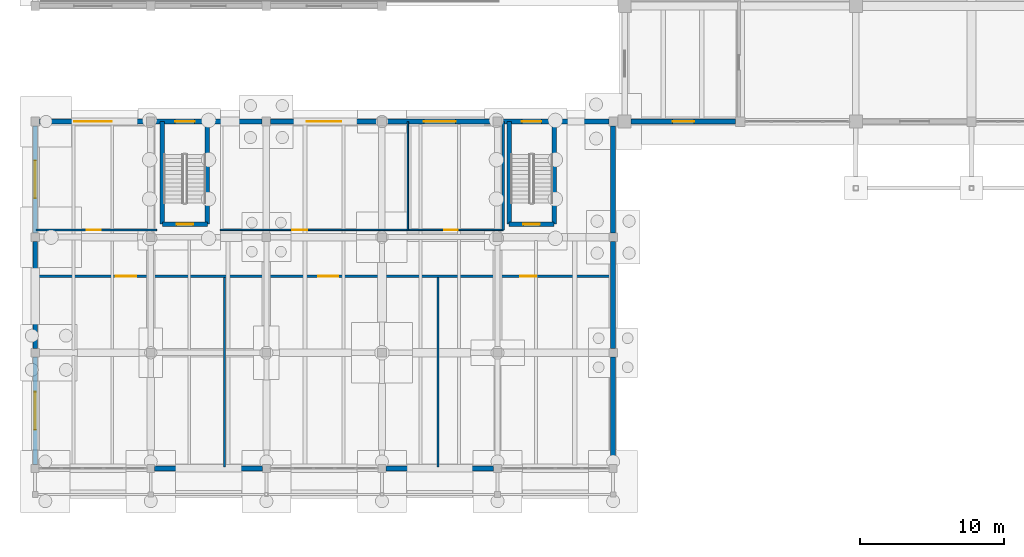
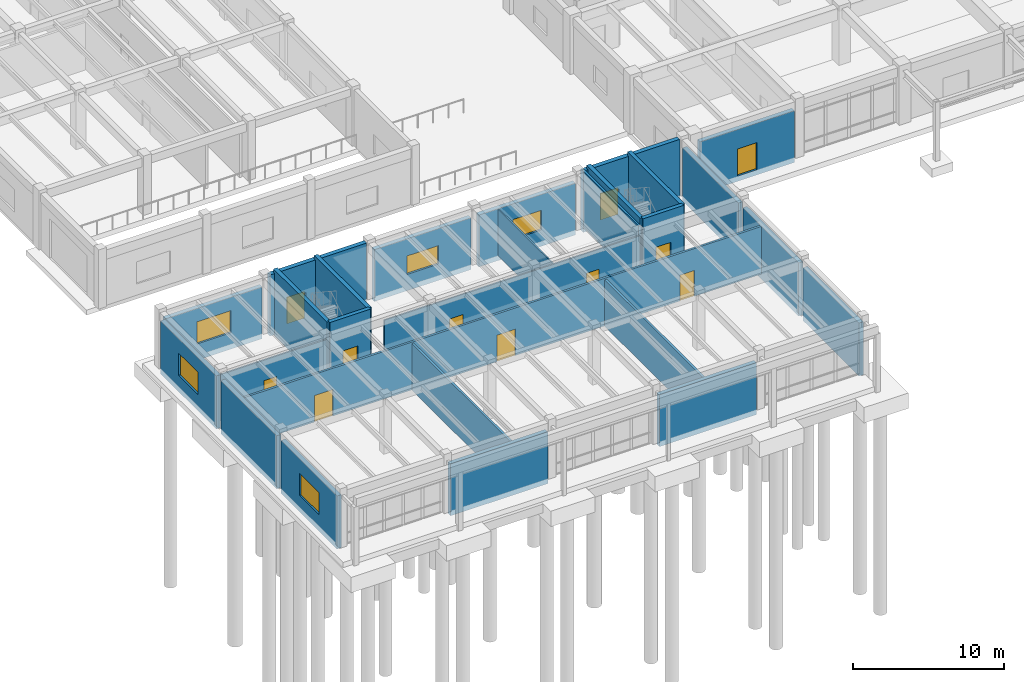
# One storey, part 33 of 64: 27 walls, 11 doors, 5 windows, 16 openings.
"""IFC4 building model written with IfcOpenShell, lengths in metres."""

from ifc_helpers import new_model, si_unit, direction, frame, frame_2d, origin, place, context, subcontext, project, spatial, rectangle, extrude, material, layer, layer_set, type_object, element, fill, save


model = new_model("IFC4")

# Units and contexts
model_context = context("Model", 3, precision=1e-05, world=origin(), true_north=direction((0.0, 1.0)))
body_context = subcontext(model_context, "Body", "Model", "MODEL_VIEW")
ifc_project = project(units=[si_unit("LENGTHUNIT", "METRE"), si_unit("AREAUNIT", "SQUARE_METRE"), si_unit("VOLUMEUNIT", "CUBIC_METRE"), si_unit("PLANEANGLEUNIT", "RADIAN"), si_unit("MASSUNIT", "GRAM", prefix="KILO")], contexts=[model_context])

# Site, building, storey
site_placement = place(None, origin())
site = spatial("IfcSite", under=ifc_project, at=site_placement, CompositionType="ELEMENT")
building_placement = place(site_placement, origin())
building = spatial("IfcBuilding", under=site, at=building_placement, Name="Tlaxcora Railside Police Headquarters", CompositionType="ELEMENT")
storey_placement = place(building_placement, origin())
storey = spatial("IfcBuildingStorey", under=building, at=storey_placement, Name="L00", CompositionType="ELEMENT", Elevation=0.0)

# Wall, openings, doors
ifc_material_1 = material(Name="Gypsum acoustic partition board")
ifc_layer_1 = layer(ifc_material_1, 0.10791015625, Name="Gypsum acoustic partition board")
ifc_layer_set_1 = layer_set([ifc_layer_1], Name="Gypsum acoustic partition board")
wall_type_1 = type_object("IfcWallType", Name="Interior Partition Wall IW-19", PredefinedType="PARTITIONING", material=ifc_layer_set_1)
wall_1_placement = place(storey_placement, frame((18.0, 28.5, 0.0), z_axis=(0.0, 0.0, 1.0), x_axis=(1.0, 0.0, 0.0)))
wall_1 = element("IfcWall", 1, at=wall_1_placement, inside=storey, type_object=wall_type_1, Name="V4 L00 interior partition 35", PredefinedType="PARTITIONING", context=body_context, shape_type="SweptSolid", body=[
    extrude(rectangle(XDim=19.60009765625, YDim=0.10791015625, at=frame_2d((9.800048828125, 0.0))), origin(), (0.0, 0.0, 1.0), 3.764892578125),
])
opening_1_placement = place(wall_1_placement, frame((5.0, 0.0, 0.0)))
opening_1 = element("IfcOpeningElement", 2, at=opening_1_placement, cuts=wall_1, Name="Opening D-L00-087", PredefinedType="OPENING", context=body_context, shape_type="SweptSolid", body=[
    extrude(rectangle(XDim=1.02001953125, YDim=2.1201171875, at=frame_2d((0.510009765625, 1.06005859375))), frame((0.0, 0.06396484375, 0.0), z_axis=(0.0, -1.0, 0.0), x_axis=(1.0, 0.0, 0.0)), (0.0, 0.0, 1.0), 0.1279296875),
])
opening_2_placement = place(wall_1_placement, frame((15.5, 0.0, 0.0)))
opening_2 = element("IfcOpeningElement", 3, at=opening_2_placement, cuts=wall_1, Name="Opening D-L00-088", PredefinedType="OPENING", context=body_context, shape_type="SweptSolid", body=[
    extrude(rectangle(XDim=0.949951171875, YDim=2.14990234375, at=frame_2d((0.47509765625, 1.074951171875))), frame((0.0, 0.06396484375, 0.0), z_axis=(0.0, -1.0, 0.0), x_axis=(1.0, 0.0, 0.0)), (0.0, 0.0, 1.0), 0.1279296875),
])
ifc_material_2 = material(Name="Steel ASTM A992 Grade 50", Category="steel")
door_type_1 = type_object("IfcDoorType", Name="Swing or Sliding Personnel Door ID-31", OperationType="NOTDEFINED", PredefinedType="DOOR", material=ifc_material_2)
door_1_placement = place(opening_2_placement, origin())
door_1 = element("IfcDoor", 4, at=door_1_placement, inside=storey, type_object=door_type_1, Name="V4 L00 door D-L00-088", OperationType="SINGLE_SWING_RIGHT", OverallHeight=2.14990234375, OverallWidth=0.949951171875, PredefinedType="DOOR", context=body_context, shape_type="SweptSolid", body=[
    extrude(rectangle(XDim=0.949951171875, YDim=2.14990234375, at=frame_2d((0.47509765625, 1.074951171875))), frame((0.0, 0.02490234375, 0.0), z_axis=(0.0, -1.0, 0.0), x_axis=(1.0, 0.0, 0.0)), (0.0, 0.0, 1.0), 0.050048828125),
])
fill(opening_2, door_1)
door_type_2 = type_object("IfcDoorType", Name="Swing or Sliding Personnel Door ID-48", OperationType="NOTDEFINED", PredefinedType="DOOR", material=ifc_material_2)
door_2_placement = place(opening_1_placement, origin())
door_2 = element("IfcDoor", 5, at=door_2_placement, inside=storey, type_object=door_type_2, Name="V4 L00 door D-L00-087", OperationType="SINGLE_SWING_LEFT", OverallHeight=2.1201171875, OverallWidth=1.02001953125, PredefinedType="DOOR", context=body_context, shape_type="SweptSolid", body=[
    extrude(rectangle(XDim=1.02001953125, YDim=2.1201171875, at=frame_2d((0.510009765625, 1.06005859375))), frame((0.0, 0.02490234375, 0.0), z_axis=(0.0, -1.0, 0.0), x_axis=(1.0, 0.0, 0.0)), (0.0, 0.0, 1.0), 0.050048828125),
])
fill(opening_1, door_2)

# Walls
ifc_layer_2 = layer(ifc_material_1, 0.16796875, Name="Gypsum acoustic partition board")
ifc_layer_set_2 = layer_set([ifc_layer_2], Name="Gypsum acoustic partition board")
wall_type_2 = type_object("IfcWallType", Name="Interior Partition Wall IW-31", PredefinedType="PARTITIONING", material=ifc_layer_set_2)
wall_2_placement = place(storey_placement, frame((37.60009765625, 28.5, 0.0), z_axis=(0.0, 0.0, 1.0), x_axis=(0.0, 1.0, 0.0)))
element("IfcWall", 6, at=wall_2_placement, inside=storey, type_object=wall_type_2, Name="V4 L00 interior partition 37", PredefinedType="PARTITIONING", context=body_context, shape_type="SweptSolid", body=[
    extrude(rectangle(XDim=7.5, YDim=0.16796875, at=frame_2d((3.75, 0.0))), origin(), (0.0, 0.0, 1.0), 4.530029296875),
])
ifc_layer_3 = layer(ifc_material_1, 0.10009765625, Name="Gypsum acoustic partition board")
ifc_layer_set_3 = layer_set([ifc_layer_3], Name="Gypsum acoustic partition board")
wall_type_3 = type_object("IfcWallType", Name="Interior Partition Wall IW-45", PredefinedType="PARTITIONING", material=ifc_layer_set_3)
wall_3_placement = place(storey_placement, frame((31.0, 28.5, 0.0), z_axis=(0.0, 0.0, 1.0), x_axis=(0.0, 1.0, 0.0)))
element("IfcWall", 7, at=wall_3_placement, inside=storey, type_object=wall_type_3, Name="V4 L00 interior partition 36", PredefinedType="PARTITIONING", context=body_context, shape_type="SweptSolid", body=[
    extrude(rectangle(XDim=7.5, YDim=0.10009765625, at=frame_2d((3.75, 0.0))), origin(), (0.0, 0.0, 1.0), 3.764892578125),
])
ifc_layer_4 = layer(ifc_material_1, 0.159912109375, Name="Gypsum acoustic partition board")
ifc_layer_set_4 = layer_set([ifc_layer_4], Name="Gypsum acoustic partition board")
wall_type_4 = type_object("IfcWallType", Name="Interior Partition Wall IW-73", PredefinedType="PARTITIONING", material=ifc_layer_set_4)
for number, where, z_axis, x_axis, name in (
    (8, (18.304931640625, 12.080078125, 0.0), (0.0, 0.0, 1.0), (0.0, 1.0, 0.0), "V4 L00 interior partition 31"),
    (9, (33.080078125, 12.080078125, 0.0), (0.0, 0.0, 1.0), (0.0, 1.0, 0.0), "V4 L00 interior partition 32"),
):
    element("IfcWall", number, at=place(storey_placement, frame(where, z_axis=z_axis, x_axis=x_axis)), inside=storey, type_object=wall_type_4, Name=name, PredefinedType="PARTITIONING", context=body_context, shape_type="SweptSolid", body=[
        extrude(rectangle(XDim=13.119873046875, YDim=0.159912109375, at=frame_2d((6.56005859375, 0.0))), origin(), (0.0, 0.0, 1.0), 3.764892578125),
    ])

# Wall, openings, doors
wall_4_placement = place(storey_placement, frame((5.280029296875, 25.300048828125, 0.0), z_axis=(0.0, 0.0, 1.0), x_axis=(1.0, 0.0, 0.0)))
wall_4 = element("IfcWall", 10, at=wall_4_placement, inside=storey, type_object=wall_type_4, Name="V4 L00 interior partition 33", PredefinedType="PARTITIONING", context=body_context, shape_type="SweptSolid", body=[
    extrude(rectangle(XDim=39.840087890625, YDim=0.159912109375, at=frame_2d((19.919921875, 0.0))), origin(), (0.0, 0.0, 1.0), 3.864990234375),
])
opening_3_placement = place(wall_4_placement, frame((5.5, 0.0, 0.0)))
opening_3 = element("IfcOpeningElement", 11, at=opening_3_placement, cuts=wall_4, Name="Opening D-L00-083", PredefinedType="OPENING", context=body_context, shape_type="SweptSolid", body=[
    extrude(rectangle(XDim=1.39990234375, YDim=2.14990234375, at=frame_2d((0.699951171875, 1.074951171875))), frame((0.0, 0.08984375, 0.0), z_axis=(0.0, -1.0, 0.0), x_axis=(1.0, 0.0, 0.0)), (0.0, 0.0, 1.0), 0.179931640625),
])
opening_4_placement = place(wall_4_placement, frame((19.5, 0.0, 0.0)))
opening_4 = element("IfcOpeningElement", 12, at=opening_4_placement, cuts=wall_4, Name="Opening D-L00-084", PredefinedType="OPENING", context=body_context, shape_type="SweptSolid", body=[
    extrude(rectangle(XDim=1.39990234375, YDim=2.14990234375, at=frame_2d((0.699951171875, 1.074951171875))), frame((0.0, 0.08984375, 0.0), z_axis=(0.0, -1.0, 0.0), x_axis=(1.0, 0.0, 0.0)), (0.0, 0.0, 1.0), 0.179931640625),
])
opening_5_placement = place(wall_4_placement, frame((33.5, 0.0, 0.0)))
opening_5 = element("IfcOpeningElement", 13, at=opening_5_placement, cuts=wall_4, Name="Opening D-L00-085", PredefinedType="OPENING", context=body_context, shape_type="SweptSolid", body=[
    extrude(rectangle(XDim=1.10009765625, YDim=2.10009765625, at=frame_2d((0.550048828125, 1.050048828125))), frame((0.0, 0.08984375, 0.0), z_axis=(0.0, -1.0, 0.0), x_axis=(1.0, 0.0, 0.0)), (0.0, 0.0, 1.0), 0.179931640625),
])
door_type_3 = type_object("IfcDoorType", Name="Swing or Sliding Personnel Door ID-66", OperationType="NOTDEFINED", PredefinedType="DOOR", material=ifc_material_2)
door_3_placement = place(opening_5_placement, origin())
door_3 = element("IfcDoor", 14, at=door_3_placement, inside=storey, type_object=door_type_3, Name="V4 L00 door D-L00-085", OperationType="SINGLE_SWING_LEFT", OverallHeight=2.10009765625, OverallWidth=1.10009765625, PredefinedType="DOOR", context=body_context, shape_type="SweptSolid", body=[
    extrude(rectangle(XDim=1.10009765625, YDim=2.10009765625, at=frame_2d((0.550048828125, 1.050048828125))), frame((0.0, 0.02490234375, 0.0), z_axis=(0.0, -1.0, 0.0), x_axis=(1.0, 0.0, 0.0)), (0.0, 0.0, 1.0), 0.050048828125),
])
fill(opening_5, door_3)
door_type_4 = type_object("IfcDoorType", Name="Swing or Sliding Personnel Door ID-97", OperationType="NOTDEFINED", PredefinedType="DOOR", material=ifc_material_2)
door_4_placement = place(opening_3_placement, origin())
door_4 = element("IfcDoor", 15, at=door_4_placement, inside=storey, type_object=door_type_4, Name="V4 L00 door D-L00-083", OperationType="DOUBLE_DOOR_SINGLE_SWING", OverallHeight=2.14990234375, OverallWidth=1.39990234375, PredefinedType="DOOR", context=body_context, shape_type="SweptSolid", body=[
    extrude(rectangle(XDim=1.39990234375, YDim=2.14990234375, at=frame_2d((0.699951171875, 1.074951171875))), frame((0.0, 0.02490234375, 0.0), z_axis=(0.0, -1.0, 0.0), x_axis=(1.0, 0.0, 0.0)), (0.0, 0.0, 1.0), 0.050048828125),
])
fill(opening_3, door_4)
door_5_placement = place(opening_4_placement, origin())
door_5 = element("IfcDoor", 16, at=door_5_placement, inside=storey, type_object=door_type_4, Name="V4 L00 door D-L00-084", OperationType="DOUBLE_DOOR_SINGLE_SWING", OverallHeight=2.14990234375, OverallWidth=1.39990234375, PredefinedType="DOOR", context=body_context, shape_type="SweptSolid", body=[
    extrude(rectangle(XDim=1.39990234375, YDim=2.14990234375, at=frame_2d((0.699951171875, 1.074951171875))), frame((0.0, 0.02490234375, 0.0), z_axis=(0.0, -1.0, 0.0), x_axis=(1.0, 0.0, 0.0)), (0.0, 0.0, 1.0), 0.050048828125),
])
fill(opening_4, door_5)

# Wall, opening, door
ifc_layer_5 = layer(ifc_material_1, 0.114990234375, Name="Gypsum acoustic partition board")
ifc_layer_set_5 = layer_set([ifc_layer_5], Name="Gypsum acoustic partition board")
wall_type_5 = type_object("IfcWallType", Name="Interior Partition Wall IW-87", PredefinedType="PARTITIONING", material=ifc_layer_set_5)
wall_5_placement = place(storey_placement, frame((5.280029296875, 28.5, 0.0), z_axis=(0.0, 0.0, 1.0), x_axis=(1.0, 0.0, 0.0)))
wall_5 = element("IfcWall", 17, at=wall_5_placement, inside=storey, type_object=wall_type_5, Name="V4 L00 interior partition 34", PredefinedType="PARTITIONING", context=body_context, shape_type="SweptSolid", body=[
    extrude(rectangle(XDim=8.320068359375, YDim=0.114990234375, at=frame_2d((4.16015625, 0.0))), origin(), (0.0, 0.0, 1.0), 3.764892578125),
])
opening_6_placement = place(wall_5_placement, frame((3.5, 0.0, 0.0)))
opening_6 = element("IfcOpeningElement", 18, at=opening_6_placement, cuts=wall_5, Name="Opening D-L00-086", PredefinedType="OPENING", context=body_context, shape_type="SweptSolid", body=[
    extrude(rectangle(XDim=0.949951171875, YDim=2.10009765625, at=frame_2d((0.47509765625, 1.050048828125))), frame((0.0, 0.0673828125, 0.0), z_axis=(0.0, -1.0, 0.0), x_axis=(1.0, 0.0, 0.0)), (0.0, 0.0, 1.0), 0.135009765625),
])
door_type_5 = type_object("IfcDoorType", Name="Swing or Sliding Personnel Door ID-87", OperationType="NOTDEFINED", PredefinedType="DOOR", material=ifc_material_2)
door_6_placement = place(opening_6_placement, origin())
door_6 = element("IfcDoor", 19, at=door_6_placement, inside=storey, type_object=door_type_5, Name="V4 L00 door D-L00-086", OperationType="SINGLE_SWING_RIGHT", OverallHeight=2.10009765625, OverallWidth=0.949951171875, PredefinedType="DOOR", context=body_context, shape_type="SweptSolid", body=[
    extrude(rectangle(XDim=0.949951171875, YDim=2.10009765625, at=frame_2d((0.47509765625, 1.050048828125))), frame((0.0, 0.02490234375, 0.0), z_axis=(0.0, -1.0, 0.0), x_axis=(1.0, 0.0, 0.0)), (0.0, 0.0, 1.0), 0.050048828125),
])
fill(opening_6, door_6)

ifc_material_3 = material(Name="Concrete C40/50", Category="concrete")
ifc_layer_6 = layer(ifc_material_3, 0.300048828125, Name="Concrete C40/50")
ifc_layer_set_6 = layer_set([ifc_layer_6], Name="Concrete C40/50")
wall_type_6 = type_object("IfcWallType", Name="Shear Core Wall IW-28", PredefinedType="SHEAR", material=ifc_layer_set_6)
wall_6_placement = place(storey_placement, frame((14.0, 28.89990234375, -0.52001953125), z_axis=(0.0, 0.0, 1.0), x_axis=(1.0, 0.0, 0.0)))
wall_6 = element("IfcWall", 20, at=wall_6_placement, inside=storey, type_object=wall_type_6, Name="CORE-C6 L00 stair core wall S", PredefinedType="SHEAR", context=body_context, shape_type="SweptSolid", body=[
    extrude(rectangle(XDim=3.1201171875, YDim=0.300048828125, at=frame_2d((1.56005859375, 0.0))), origin(), (0.0, 0.0, 1.0), 5.320068359375),
])
opening_7_placement = place(wall_6_placement, frame((0.985107421875, 0.0, 0.52001953125)))
opening_7 = element("IfcOpeningElement", 21, at=opening_7_placement, cuts=wall_6, Name="Opening SD-L00-041", PredefinedType="OPENING", context=body_context, shape_type="SweptSolid", body=[
    extrude(rectangle(XDim=1.14990234375, YDim=2.14990234375, at=frame_2d((0.574951171875, 1.074951171875))), frame((0.0, 0.16015625, 0.0), z_axis=(0.0, -1.0, 0.0), x_axis=(1.0, 0.0, 0.0)), (0.0, 0.0, 1.0), 0.320068359375),
])
door_type_6 = type_object("IfcDoorType", Name="Swing or Sliding Personnel Door ID-73", OperationType="NOTDEFINED", PredefinedType="DOOR", material=ifc_material_2)
door_7_placement = place(opening_7_placement, origin())
door_7 = element("IfcDoor", 22, at=door_7_placement, inside=storey, type_object=door_type_6, Name="Stair ST6 L00 enclosure fire door", OperationType="SINGLE_SWING_LEFT", OverallHeight=2.14990234375, OverallWidth=1.14990234375, PredefinedType="DOOR", context=body_context, shape_type="SweptSolid", body=[
    extrude(rectangle(XDim=1.14990234375, YDim=2.14990234375, at=frame_2d((0.574951171875, 1.074951171875))), frame((0.0, 0.02490234375, 0.0), z_axis=(0.0, -1.0, 0.0), x_axis=(1.0, 0.0, 0.0)), (0.0, 0.0, 1.0), 0.050048828125),
])
fill(opening_7, door_7)

# Walls
for number, where, z_axis, x_axis, name in (
    (23, (17.1201171875, 28.89990234375, -0.52001953125), (0.0, 0.0, 1.0), (0.0, 1.0, 0.0), "CORE-C6 L00 stair core wall E"),
    (24, (14.0, 36.0, -0.52001953125), (0.0, 0.0, 1.0), (0.0, -1.0, 0.0), "CORE-C6 L00 stair core wall W"),
):
    element("IfcWall", number, at=place(storey_placement, frame(where, z_axis=z_axis, x_axis=x_axis)), inside=storey, type_object=wall_type_6, Name=name, PredefinedType="SHEAR", context=body_context, shape_type="SweptSolid", body=[
        extrude(rectangle(XDim=7.10009765625, YDim=0.300048828125, at=frame_2d((3.550048828125, 0.0))), origin(), (0.0, 0.0, 1.0), 5.320068359375),
    ])

# Wall, opening, door
wall_7_placement = place(storey_placement, frame((38.0, 28.89990234375, -0.52001953125), z_axis=(0.0, 0.0, 1.0), x_axis=(1.0, 0.0, 0.0)))
wall_7 = element("IfcWall", 25, at=wall_7_placement, inside=storey, type_object=wall_type_6, Name="CORE-C6B L00 stair core wall S", PredefinedType="SHEAR", context=body_context, shape_type="SweptSolid", body=[
    extrude(rectangle(XDim=3.1201171875, YDim=0.300048828125, at=frame_2d((1.56005859375, 0.0))), origin(), (0.0, 0.0, 1.0), 5.320068359375),
])
opening_8_placement = place(wall_7_placement, frame((0.985107421875, 0.0, 0.52001953125)))
opening_8 = element("IfcOpeningElement", 26, at=opening_8_placement, cuts=wall_7, Name="Opening SD-L00-044", PredefinedType="OPENING", context=body_context, shape_type="SweptSolid", body=[
    extrude(rectangle(XDim=1.14990234375, YDim=2.14990234375, at=frame_2d((0.574951171875, 1.074951171875))), frame((0.0, 0.16015625, 0.0), z_axis=(0.0, -1.0, 0.0), x_axis=(1.0, 0.0, 0.0)), (0.0, 0.0, 1.0), 0.320068359375),
])
door_8_placement = place(opening_8_placement, origin())
door_8 = element("IfcDoor", 27, at=door_8_placement, inside=storey, type_object=door_type_6, Name="Stair ST10 L00 enclosure fire door", OperationType="SINGLE_SWING_RIGHT", OverallHeight=2.14990234375, OverallWidth=1.14990234375, PredefinedType="DOOR", context=body_context, shape_type="SweptSolid", body=[
    extrude(rectangle(XDim=1.14990234375, YDim=2.14990234375, at=frame_2d((0.574951171875, 1.074951171875))), frame((0.0, 0.02490234375, 0.0), z_axis=(0.0, -1.0, 0.0), x_axis=(1.0, 0.0, 0.0)), (0.0, 0.0, 1.0), 0.050048828125),
])
fill(opening_8, door_8)

# Walls
for number, where, z_axis, x_axis, name in (
    (28, (41.1201171875, 28.89990234375, -0.52001953125), (0.0, 0.0, 1.0), (0.0, 1.0, 0.0), "CORE-C6B L00 stair core wall E"),
    (29, (38.0, 36.0, -0.52001953125), (0.0, 0.0, 1.0), (0.0, -1.0, 0.0), "CORE-C6B L00 stair core wall W"),
):
    element("IfcWall", number, at=place(storey_placement, frame(where, z_axis=z_axis, x_axis=x_axis)), inside=storey, type_object=wall_type_6, Name=name, PredefinedType="SHEAR", context=body_context, shape_type="SweptSolid", body=[
        extrude(rectangle(XDim=7.10009765625, YDim=0.300048828125, at=frame_2d((3.550048828125, 0.0))), origin(), (0.0, 0.0, 1.0), 5.320068359375),
    ])

# Wall, opening, door
ifc_material_4 = material(Name="Volcanic basalt ashlar masonry", Category="masonry")
ifc_layer_7 = layer(ifc_material_4, 0.3349609375, Name="Volcanic basalt ashlar masonry")
ifc_layer_set_7 = layer_set([ifc_layer_7], Name="Volcanic basalt ashlar masonry")
wall_type_7 = type_object("IfcWallType", Name="Structural Bearing Wall EW-46", PredefinedType="SOLIDWALL", material=ifc_layer_set_7)
wall_8_placement = place(storey_placement, frame((46.449951171875, 36.0, -0.419921875), z_axis=(0.0, 0.0, 1.0), x_axis=(1.0, 0.0, 0.0)))
wall_8 = element("IfcWall", 30, at=wall_8_placement, inside=storey, type_object=wall_type_7, Name="V1 L00 exterior wall 0.0", PredefinedType="SOLIDWALL", context=body_context, shape_type="SweptSolid", body=[
    extrude(rectangle(XDim=7.22509765625, YDim=0.3349609375, at=frame_2d((3.612548828125, 0.0))), origin(), (0.0, 0.0, 1.0), 4.199951171875),
])
opening_9_placement = place(wall_8_placement, frame((2.862548828125, 0.0, 0.419921875)))
opening_9 = element("IfcOpeningElement", 31, at=opening_9_placement, cuts=wall_8, Name="Opening E-03", PredefinedType="OPENING", context=body_context, shape_type="SweptSolid", body=[
    extrude(rectangle(XDim=1.5, YDim=2.199951171875, at=frame_2d((0.75, 1.10009765625))), frame((0.0, 0.177490234375, 0.0), z_axis=(0.0, -1.0, 0.0), x_axis=(1.0, 0.0, 0.0)), (0.0, 0.0, 1.0), 0.35498046875),
])
ifc_material_5 = material(Name="Anodised aluminium framing", Category="aluminium")
door_type_7 = type_object("IfcDoorType", Name="Swing or Sliding Personnel Door ED-67", OperationType="NOTDEFINED", PredefinedType="DOOR", material=ifc_material_5)
door_9_placement = place(opening_9_placement, frame((1.5, 0.0, 0.0), z_axis=(0.0, 0.0, 1.0), x_axis=(-1.0, 0.0, 0.0)))
door_9 = element("IfcDoor", 32, at=door_9_placement, inside=storey, type_object=door_type_7, Name="Fire Command Centre direct street door E-03", OperationType="SINGLE_SWING_LEFT", OverallHeight=2.199951171875, OverallWidth=1.5, PredefinedType="DOOR", context=body_context, shape_type="SweptSolid", body=[
    extrude(rectangle(XDim=1.5, YDim=2.199951171875, at=frame_2d((0.75, 1.10009765625))), frame((0.0, 0.02490234375, 0.0), z_axis=(0.0, -1.0, 0.0), x_axis=(1.0, 0.0, 0.0)), (0.0, 0.0, 1.0), 0.050048828125),
])
fill(opening_9, door_9)

# Walls
for number, where, z_axis, x_axis, name in (
    (33, (13.47509765625, 12.0, -0.419921875), (0.0, 0.0, 1.0), (1.0, 0.0, 0.0), "V4 L00 exterior wall 0.1"),
    (34, (29.47509765625, 12.0, -0.419921875), (0.0, 0.0, 1.0), (1.0, 0.0, 0.0), "V4 L00 exterior wall 0.3"),
):
    element("IfcWall", number, at=place(storey_placement, frame(where, z_axis=z_axis, x_axis=x_axis)), inside=storey, type_object=wall_type_7, Name=name, PredefinedType="SOLIDWALL", context=body_context, shape_type="SweptSolid", body=[
        extrude(rectangle(XDim=7.449951171875, YDim=0.3349609375, at=frame_2d((3.72509765625, 0.0))), origin(), (0.0, 0.0, 1.0), 4.199951171875),
    ])
wall_9_placement = place(storey_placement, frame((45.199951171875, 12.27490234375, -0.419921875), z_axis=(0.0, 0.0, 1.0), x_axis=(0.0, 1.0, 0.0)))
element("IfcWall", 35, at=wall_9_placement, inside=storey, type_object=wall_type_7, Name="V4 L00 exterior wall 1.0", PredefinedType="SOLIDWALL", context=body_context, shape_type="SweptSolid", body=[
    extrude(rectangle(XDim=7.425048828125, YDim=0.3349609375, at=frame_2d((3.71240234375, 0.0))), origin(), (0.0, 0.0, 1.0), 4.2998046875),
])
for number, where, z_axis, x_axis, name in (
    (36, (45.199951171875, 20.300048828125, -0.419921875), (0.0, 0.0, 1.0), (0.0, 1.0, 0.0), "V4 L00 exterior wall 1.1"),
    (37, (45.199951171875, 28.300048828125, -0.419921875), (0.0, 0.0, 1.0), (0.0, 1.0, 0.0), "V4 L00 exterior wall 1.2"),
):
    element("IfcWall", number, at=place(storey_placement, frame(where, z_axis=z_axis, x_axis=x_axis)), inside=storey, type_object=wall_type_7, Name=name, PredefinedType="SOLIDWALL", context=body_context, shape_type="SweptSolid", body=[
        extrude(rectangle(XDim=7.39990234375, YDim=0.3349609375, at=frame_2d((3.699951171875, 0.0))), origin(), (0.0, 0.0, 1.0), 4.2998046875),
    ])

# Wall, opening, door
wall_10_placement = place(storey_placement, frame((44.89990234375, 36.0, -0.419921875), z_axis=(0.0, 0.0, 1.0), x_axis=(-1.0, 0.0, 0.0)))
wall_10 = element("IfcWall", 38, at=wall_10_placement, inside=storey, type_object=wall_type_7, Name="V4 L00 exterior wall 2.0", PredefinedType="SOLIDWALL", context=body_context, shape_type="SweptSolid", body=[
    extrude(rectangle(XDim=7.39990234375, YDim=0.3349609375, at=frame_2d((3.699951171875, 0.0))), origin(), (0.0, 0.0, 1.0), 4.949951171875),
])
opening_10_placement = place(wall_10_placement, frame((4.6650390625, 0.0, 0.419921875)))
opening_10 = element("IfcOpeningElement", 39, at=opening_10_placement, cuts=wall_10, Name="Opening EX-08", PredefinedType="OPENING", context=body_context, shape_type="SweptSolid", body=[
    extrude(rectangle(XDim=1.35009765625, YDim=2.14990234375, at=frame_2d((0.675048828125, 1.074951171875))), frame((0.0, 0.177490234375, 0.0), z_axis=(0.0, -1.0, 0.0), x_axis=(1.0, 0.0, 0.0)), (0.0, 0.0, 1.0), 0.35498046875),
])
door_type_8 = type_object("IfcDoorType", Name="Swing or Sliding Personnel Door ED-94", OperationType="NOTDEFINED", PredefinedType="DOOR", material=ifc_material_5)
door_10_placement = place(opening_10_placement, frame((1.35009765625, 0.0, 0.0), z_axis=(0.0, 0.0, 1.0), x_axis=(-1.0, 0.0, 0.0)))
door_10 = element("IfcDoor", 40, at=door_10_placement, inside=storey, type_object=door_type_8, Name="Exit stair ST10 direct exterior discharge door", OperationType="SINGLE_SWING_RIGHT", OverallHeight=2.14990234375, OverallWidth=1.35009765625, PredefinedType="DOOR", context=body_context, shape_type="SweptSolid", body=[
    extrude(rectangle(XDim=1.35009765625, YDim=2.14990234375, at=frame_2d((0.675048828125, 1.074951171875))), frame((0.0, 0.02490234375, 0.0), z_axis=(0.0, -1.0, 0.0), x_axis=(1.0, 0.0, 0.0)), (0.0, 0.0, 1.0), 0.050048828125),
])
fill(opening_10, door_10)

# Wall, opening, window
wall_11_placement = place(storey_placement, frame((36.89990234375, 36.0, -0.419921875), z_axis=(0.0, 0.0, 1.0), x_axis=(-1.0, 0.0, 0.0)))
wall_11 = element("IfcWall", 41, at=wall_11_placement, inside=storey, type_object=wall_type_7, Name="V4 L00 exterior wall 2.1", PredefinedType="SOLIDWALL", context=body_context, shape_type="SweptSolid", body=[
    extrude(rectangle(XDim=7.39990234375, YDim=0.3349609375, at=frame_2d((3.699951171875, 0.0))), origin(), (0.0, 0.0, 1.0), 4.199951171875),
])
opening_11_placement = place(wall_11_placement, frame((2.60009765625, 0.0, 1.320068359375)))
opening_11 = element("IfcOpeningElement", 42, at=opening_11_placement, cuts=wall_11, Name="Opening WN-57", PredefinedType="OPENING", context=body_context, shape_type="SweptSolid", body=[
    extrude(rectangle(XDim=2.199951171875, YDim=1.60009765625, at=frame_2d((1.10009765625, 0.800048828125))), frame((0.0, 0.177490234375, 0.0), z_axis=(0.0, -1.0, 0.0), x_axis=(1.0, 0.0, 0.0)), (0.0, 0.0, 1.0), 0.35498046875),
])
ifc_material_6 = material(Name="Thermally broken low-E insulated glazing", Category="glass")
window_type_1 = type_object("IfcWindowType", Name="Exterior Framed or Circular Window WN-57", PartitioningType="SINGLE_PANEL", PredefinedType="WINDOW", material=ifc_material_6)
window_1_placement = place(opening_11_placement, origin())
window_1 = element("IfcWindow", 43, at=window_1_placement, inside=storey, type_object=window_type_1, Name="V4 L00 window 72", OverallHeight=1.60009765625, OverallWidth=2.199951171875, PartitioningType="SINGLE_PANEL", PredefinedType="WINDOW", context=body_context, shape_type="SweptSolid", body=[
    extrude(rectangle(XDim=2.199951171875, YDim=1.60009765625, at=frame_2d((1.10009765625, 0.800048828125))), frame((0.0, 0.030029296875, 0.0), z_axis=(0.0, -1.0, 0.0), x_axis=(1.0, 0.0, 0.0)), (0.0, 0.0, 1.0), 0.06005859375),
])
fill(opening_11, window_1)

wall_12_placement = place(storey_placement, frame((28.89990234375, 36.0, -0.419921875), z_axis=(0.0, 0.0, 1.0), x_axis=(-1.0, 0.0, 0.0)))
wall_12 = element("IfcWall", 44, at=wall_12_placement, inside=storey, type_object=wall_type_7, Name="V4 L00 exterior wall 2.2", PredefinedType="SOLIDWALL", context=body_context, shape_type="SweptSolid", body=[
    extrude(rectangle(XDim=7.39990234375, YDim=0.3349609375, at=frame_2d((3.699951171875, 0.0))), origin(), (0.0, 0.0, 1.0), 4.199951171875),
])
opening_12_placement = place(wall_12_placement, frame((2.5, 0.0, 1.320068359375)))
opening_12 = element("IfcOpeningElement", 45, at=opening_12_placement, cuts=wall_12, Name="Opening WN-59", PredefinedType="OPENING", context=body_context, shape_type="SweptSolid", body=[
    extrude(rectangle(XDim=2.39990234375, YDim=1.5, at=frame_2d((1.199951171875, 0.75))), frame((0.0, 0.177490234375, 0.0), z_axis=(0.0, -1.0, 0.0), x_axis=(1.0, 0.0, 0.0)), (0.0, 0.0, 1.0), 0.35498046875),
])
window_type_2 = type_object("IfcWindowType", Name="Exterior Framed or Circular Window WN-59", PartitioningType="SINGLE_PANEL", PredefinedType="WINDOW", material=ifc_material_6)
window_2_placement = place(opening_12_placement, origin())
window_2 = element("IfcWindow", 46, at=window_2_placement, inside=storey, type_object=window_type_2, Name="V4 L00 window 73", OverallHeight=1.5, OverallWidth=2.39990234375, PartitioningType="SINGLE_PANEL", PredefinedType="WINDOW", context=body_context, shape_type="SweptSolid", body=[
    extrude(rectangle(XDim=2.39990234375, YDim=1.5, at=frame_2d((1.199951171875, 0.75))), frame((0.0, 0.030029296875, 0.0), z_axis=(0.0, -1.0, 0.0), x_axis=(1.0, 0.0, 0.0)), (0.0, 0.0, 1.0), 0.06005859375),
])
fill(opening_12, window_2)

# Wall, opening, door
wall_13_placement = place(storey_placement, frame((20.89990234375, 36.0, -0.419921875), z_axis=(0.0, 0.0, 1.0), x_axis=(-1.0, 0.0, 0.0)))
wall_13 = element("IfcWall", 47, at=wall_13_placement, inside=storey, type_object=wall_type_7, Name="V4 L00 exterior wall 2.3", PredefinedType="SOLIDWALL", context=body_context, shape_type="SweptSolid", body=[
    extrude(rectangle(XDim=7.39990234375, YDim=0.3349609375, at=frame_2d((3.699951171875, 0.0))), origin(), (0.0, 0.0, 1.0), 4.949951171875),
])
opening_13_placement = place(wall_13_placement, frame((4.6650390625, 0.0, 0.419921875)))
opening_13 = element("IfcOpeningElement", 48, at=opening_13_placement, cuts=wall_13, Name="Opening EX-07", PredefinedType="OPENING", context=body_context, shape_type="SweptSolid", body=[
    extrude(rectangle(XDim=1.35009765625, YDim=2.14990234375, at=frame_2d((0.675048828125, 1.074951171875))), frame((0.0, 0.177490234375, 0.0), z_axis=(0.0, -1.0, 0.0), x_axis=(1.0, 0.0, 0.0)), (0.0, 0.0, 1.0), 0.35498046875),
])
door_11_placement = place(opening_13_placement, frame((1.35009765625, 0.0, 0.0), z_axis=(0.0, 0.0, 1.0), x_axis=(-1.0, 0.0, 0.0)))
door_11 = element("IfcDoor", 49, at=door_11_placement, inside=storey, type_object=door_type_8, Name="Exit stair ST6 direct exterior discharge door", OperationType="SINGLE_SWING_LEFT", OverallHeight=2.14990234375, OverallWidth=1.35009765625, PredefinedType="DOOR", context=body_context, shape_type="SweptSolid", body=[
    extrude(rectangle(XDim=1.35009765625, YDim=2.14990234375, at=frame_2d((0.675048828125, 1.074951171875))), frame((0.0, 0.02490234375, 0.0), z_axis=(0.0, -1.0, 0.0), x_axis=(1.0, 0.0, 0.0)), (0.0, 0.0, 1.0), 0.050048828125),
])
fill(opening_13, door_11)

# Wall, opening, window
wall_14_placement = place(storey_placement, frame((12.89990234375, 36.0, -0.419921875), z_axis=(0.0, 0.0, 1.0), x_axis=(-1.0, 0.0, 0.0)))
wall_14 = element("IfcWall", 50, at=wall_14_placement, inside=storey, type_object=wall_type_7, Name="V4 L00 exterior wall 2.4", PredefinedType="SOLIDWALL", context=body_context, shape_type="SweptSolid", body=[
    extrude(rectangle(XDim=7.39990234375, YDim=0.3349609375, at=frame_2d((3.699951171875, 0.0))), origin(), (0.0, 0.0, 1.0), 4.199951171875),
])
opening_14_placement = place(wall_14_placement, frame((2.39990234375, 0.0, 1.320068359375)))
opening_14 = element("IfcOpeningElement", 51, at=opening_14_placement, cuts=wall_14, Name="Opening WN-71", PredefinedType="OPENING", context=body_context, shape_type="SweptSolid", body=[
    extrude(rectangle(XDim=2.60009765625, YDim=1.800048828125, at=frame_2d((1.300048828125, 0.89990234375))), frame((0.0, 0.177490234375, 0.0), z_axis=(0.0, -1.0, 0.0), x_axis=(1.0, 0.0, 0.0)), (0.0, 0.0, 1.0), 0.35498046875),
])
window_type_3 = type_object("IfcWindowType", Name="Exterior Framed or Circular Window WN-71", PartitioningType="SINGLE_PANEL", PredefinedType="WINDOW", material=ifc_material_6)
window_3_placement = place(opening_14_placement, origin())
window_3 = element("IfcWindow", 52, at=window_3_placement, inside=storey, type_object=window_type_3, Name="V4 L00 window 74", OverallHeight=1.800048828125, OverallWidth=2.60009765625, PartitioningType="SINGLE_PANEL", PredefinedType="WINDOW", context=body_context, shape_type="SweptSolid", body=[
    extrude(rectangle(XDim=2.60009765625, YDim=1.800048828125, at=frame_2d((1.300048828125, 0.89990234375))), frame((0.0, 0.030029296875, 0.0), z_axis=(0.0, -1.0, 0.0), x_axis=(1.0, 0.0, 0.0)), (0.0, 0.0, 1.0), 0.06005859375),
])
fill(opening_14, window_3)

wall_15_placement = place(storey_placement, frame((5.199951171875, 35.699951171875, -0.419921875), z_axis=(0.0, 0.0, 1.0), x_axis=(0.0, -1.0, 0.0)))
wall_15 = element("IfcWall", 53, at=wall_15_placement, inside=storey, type_object=wall_type_7, Name="V4 L00 exterior wall 3.0", PredefinedType="SOLIDWALL", context=body_context, shape_type="SweptSolid", body=[
    extrude(rectangle(XDim=7.39990234375, YDim=0.3349609375, at=frame_2d((3.699951171875, 0.0))), origin(), (0.0, 0.0, 1.0), 4.2998046875),
])
opening_15_placement = place(wall_15_placement, frame((2.39990234375, 0.0, 1.320068359375)))
opening_15 = element("IfcOpeningElement", 54, at=opening_15_placement, cuts=wall_15, Name="Opening WN-71", PredefinedType="OPENING", context=body_context, shape_type="SweptSolid", body=[
    extrude(rectangle(XDim=2.60009765625, YDim=1.800048828125, at=frame_2d((1.300048828125, 0.89990234375))), frame((0.0, 0.177490234375, 0.0), z_axis=(0.0, -1.0, 0.0), x_axis=(1.0, 0.0, 0.0)), (0.0, 0.0, 1.0), 0.35498046875),
])
window_4_placement = place(opening_15_placement, origin())
window_4 = element("IfcWindow", 55, at=window_4_placement, inside=storey, type_object=window_type_3, Name="V4 L00 window 75", OverallHeight=1.800048828125, OverallWidth=2.60009765625, PartitioningType="SINGLE_PANEL", PredefinedType="WINDOW", context=body_context, shape_type="SweptSolid", body=[
    extrude(rectangle(XDim=2.60009765625, YDim=1.800048828125, at=frame_2d((1.300048828125, 0.89990234375))), frame((0.0, 0.030029296875, 0.0), z_axis=(0.0, -1.0, 0.0), x_axis=(1.0, 0.0, 0.0)), (0.0, 0.0, 1.0), 0.06005859375),
])
fill(opening_15, window_4)

# Wall
wall_16_placement = place(storey_placement, frame((5.199951171875, 27.699951171875, -0.419921875), z_axis=(0.0, 0.0, 1.0), x_axis=(0.0, -1.0, 0.0)))
element("IfcWall", 56, at=wall_16_placement, inside=storey, type_object=wall_type_7, Name="V4 L00 exterior wall 3.1", PredefinedType="SOLIDWALL", context=body_context, shape_type="SweptSolid", body=[
    extrude(rectangle(XDim=7.39990234375, YDim=0.3349609375, at=frame_2d((3.699951171875, 0.0))), origin(), (0.0, 0.0, 1.0), 4.2998046875),
])

# Wall, opening, window
wall_17_placement = place(storey_placement, frame((5.199951171875, 19.699951171875, -0.419921875), z_axis=(0.0, 0.0, 1.0), x_axis=(0.0, -1.0, 0.0)))
wall_17 = element("IfcWall", 57, at=wall_17_placement, inside=storey, type_object=wall_type_7, Name="V4 L00 exterior wall 3.2", PredefinedType="SOLIDWALL", context=body_context, shape_type="SweptSolid", body=[
    extrude(rectangle(XDim=7.425048828125, YDim=0.3349609375, at=frame_2d((3.71240234375, 0.0))), origin(), (0.0, 0.0, 1.0), 4.2998046875),
])
opening_16_placement = place(wall_17_placement, frame((2.41259765625, 0.0, 1.320068359375)))
opening_16 = element("IfcOpeningElement", 58, at=opening_16_placement, cuts=wall_17, Name="Opening WN-71", PredefinedType="OPENING", context=body_context, shape_type="SweptSolid", body=[
    extrude(rectangle(XDim=2.60009765625, YDim=1.800048828125, at=frame_2d((1.300048828125, 0.89990234375))), frame((0.0, 0.177490234375, 0.0), z_axis=(0.0, -1.0, 0.0), x_axis=(1.0, 0.0, 0.0)), (0.0, 0.0, 1.0), 0.35498046875),
])
window_5_placement = place(opening_16_placement, origin())
window_5 = element("IfcWindow", 59, at=window_5_placement, inside=storey, type_object=window_type_3, Name="V4 L00 window 76", OverallHeight=1.800048828125, OverallWidth=2.60009765625, PartitioningType="SINGLE_PANEL", PredefinedType="WINDOW", context=body_context, shape_type="SweptSolid", body=[
    extrude(rectangle(XDim=2.60009765625, YDim=1.800048828125, at=frame_2d((1.300048828125, 0.89990234375))), frame((0.0, 0.030029296875, 0.0), z_axis=(0.0, -1.0, 0.0), x_axis=(1.0, 0.0, 0.0)), (0.0, 0.0, 1.0), 0.06005859375),
])
fill(opening_16, window_5)

save(model, "model.ifc")
